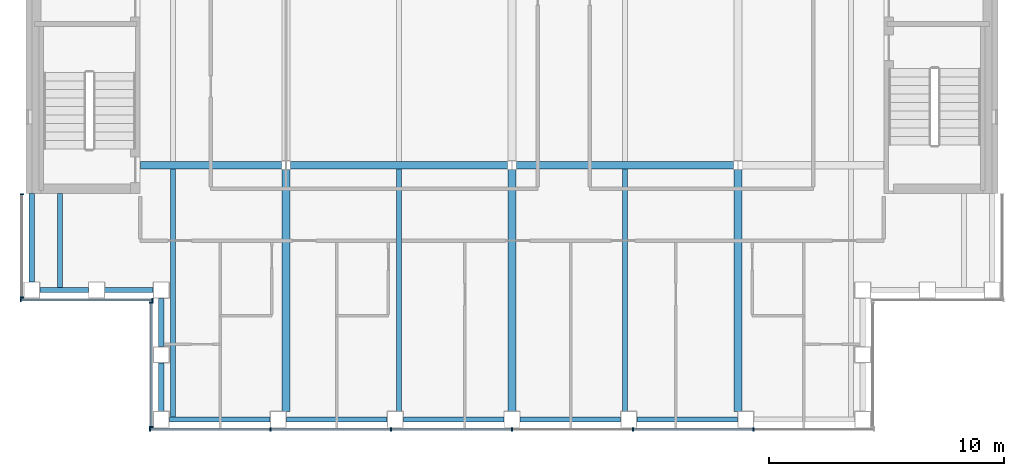
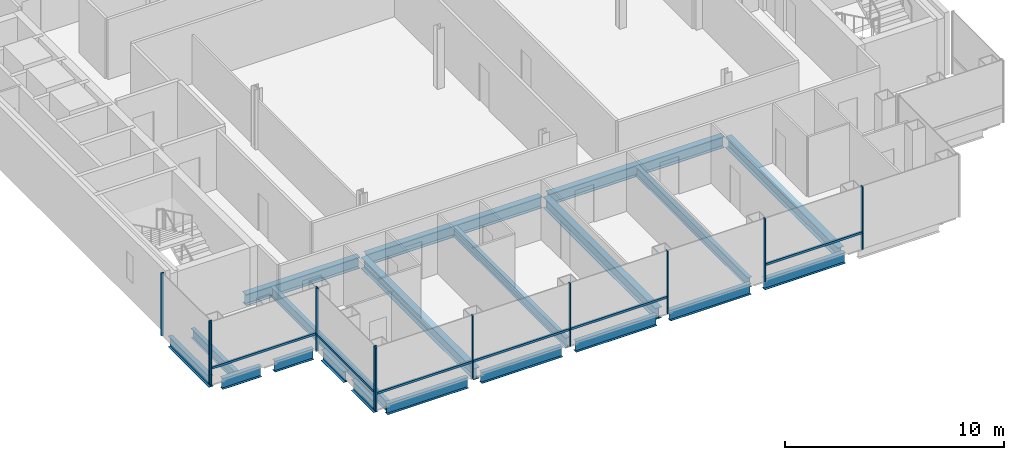
# One storey, part 3 of 15: 20 beams, 18 members, 4 elements without a shape of their own.
"""IFC4 building model written with IfcOpenShell, lengths in metres."""

import ifcopenshell
import ifcopenshell.guid

model = None  # the IFC model being written
_history = None  # IfcOwnerHistory: only IFC2X3 demands one
_inside = {}  # id of a spatial element -> (the spatial element, [elements in it])
_under = {}  # id of a project, library or spatial element -> (it, [spatial elements below it])
_declared = {}  # id of a project -> (the project, [libraries it declares])
_typed = {}  # id of a type object -> (the type object, [elements of that type])
_made_of = {}  # id of a material, layer set ... -> (it, [elements and type objects made of it])


def new_model(schema):
    """Start an empty IFC model of exactly this schema.

    Asked for "IFC4X3", IfcOpenShell would pick the latest addendum, in which some entities
    have other attributes; the version numbers below select the first issue.
    IFC2X3 requires an IfcOwnerHistory on every rooted entity: one is made here for all.
    """
    global model, _history
    if schema == "IFC4X3":
        model = ifcopenshell.file(schema_version=(4, 3, 0, 0))
    else:
        model = ifcopenshell.file(schema=schema)
    _inside.clear()
    _under.clear()
    _declared.clear()
    _typed.clear()
    _made_of.clear()
    _history = None
    if model.schema == "IFC2X3":
        org = make("IfcOrganization", Name="unknown")
        user = make(
            "IfcPersonAndOrganization",
            ThePerson=make("IfcPerson", FamilyName="unknown"),
            TheOrganization=org,
        )
        app = make(
            "IfcApplication",
            ApplicationDeveloper=org,
            Version="unknown",
            ApplicationFullName="unknown",
            ApplicationIdentifier="unknown",
        )
        _history = make(
            "IfcOwnerHistory",
            OwningUser=user,
            OwningApplication=app,
            ChangeAction="ADDED",
            CreationDate=0,
        )
    return model


def make(cls, **values):
    """One entity of the class cls with the attributes given. An attribute that is None is left unset."""
    return model.create_entity(
        cls, **{name: value for name, value in values.items() if value is not None}
    )


def rooted(cls, **values):
    """An entity with a GlobalId (a new one), such as an element, a storey or a relation."""
    return make(cls, GlobalId=ifcopenshell.guid.new(), OwnerHistory=_history, **values)


def si_unit(unit_type, name, prefix=None):
    """IfcSIUnit, for example si_unit("LENGTHUNIT", "METRE", prefix="MILLI")."""
    return make("IfcSIUnit", UnitType=unit_type, Prefix=prefix, Name=name)


def assignment(units):
    """IfcUnitAssignment: the units of a project."""
    return None if units is None else make("IfcUnitAssignment", Units=units)


def point(xyz):
    """IfcCartesianPoint."""
    return None if xyz is None else make("IfcCartesianPoint", Coordinates=xyz)


def direction(xyz):
    """IfcDirection."""
    return None if xyz is None else make("IfcDirection", DirectionRatios=xyz)


def frame(location, z_axis=None, x_axis=None):
    """IfcAxis2Placement3D, a coordinate frame: its origin and axes. An axis left out is left unset."""
    return make(
        "IfcAxis2Placement3D",
        Location=point(location),
        Axis=direction(z_axis),
        RefDirection=direction(x_axis),
    )


def frame_2d(location, x_axis=None):
    """IfcAxis2Placement2D, a coordinate frame in the plane: its origin and x axis."""
    return make(
        "IfcAxis2Placement2D", Location=point(location), RefDirection=direction(x_axis)
    )


def origin():
    """The frame at (0, 0, 0) with its axes left unset."""
    return frame((0.0, 0.0, 0.0))


def origin_2d():
    """The frame at (0, 0) in the plane with its x axis left unset."""
    return frame_2d((0.0, 0.0))


def place(relative_to, where):
    """IfcLocalPlacement: puts the frame where relative to a parent placement (None: the world)."""
    return make(
        "IfcLocalPlacement", PlacementRelTo=relative_to, RelativePlacement=where
    )


def context(
    kind, dimensions, precision=None, world=None, true_north=None, identifier=None
):
    """IfcGeometricRepresentationContext, for example the 3D "Model" context."""
    return make(
        "IfcGeometricRepresentationContext",
        ContextIdentifier=identifier,
        ContextType=kind,
        CoordinateSpaceDimension=dimensions,
        Precision=precision,
        WorldCoordinateSystem=world,
        TrueNorth=true_north,
    )


def subcontext(parent, identifier, kind, view, scale=None):
    """IfcGeometricRepresentationSubContext, for example "Body" below "Model"."""
    return make(
        "IfcGeometricRepresentationSubContext",
        ContextIdentifier=identifier,
        ContextType=kind,
        ParentContext=parent,
        TargetScale=scale,
        TargetView=view,
    )


def project(units=None, contexts=None):
    """IfcProject with its units and contexts."""
    return rooted(
        "IfcProject",
        Name="project",
        RepresentationContexts=contexts,
        UnitsInContext=assignment(units),
    )


def spatial(cls, under=None, at=None, **own):
    """A site, building, storey or space (cls), placed at a placement, below another one or the project."""
    s = rooted(cls, ObjectPlacement=at, **own)
    if under is not None:
        _under.setdefault(under.id(), (under, []))[1].append(s)
    return s


def profile(cls, at=None, kind="AREA", **sizes):
    """A parametric profile (cls). Its sizes go by their IFC names, for example OverallWidth=200.0."""
    return make(cls, ProfileType=kind, Position=at, **sizes)


def rectangle(**sizes):
    """IfcRectangleProfileDef."""
    return profile("IfcRectangleProfileDef", **sizes)


def i_section(**sizes):
    """IfcIShapeProfileDef."""
    return profile("IfcIShapeProfileDef", **sizes)


def extrude(swept, where, along, depth):
    """IfcExtrudedAreaSolid: the profile swept, set in the frame where, extruded along a direction by depth."""
    return make(
        "IfcExtrudedAreaSolid",
        SweptArea=swept,
        Position=where,
        ExtrudedDirection=direction(along),
        Depth=depth,
    )


def shape(context_of_items, identifier, shape_type, items):
    """IfcShapeRepresentation: the items that make up one representation, for example the "Body"."""
    return make(
        "IfcShapeRepresentation",
        ContextOfItems=context_of_items,
        RepresentationIdentifier=identifier,
        RepresentationType=shape_type,
        Items=items,
    )


def material(Name=None, Category=None):
    """IfcMaterial."""
    return make("IfcMaterial", Name=Name, Category=Category)


def material_profile(
    of_material, cross_section, Name=None, Category=None, Priority=None
):
    """IfcMaterialProfile: a cross section and its material."""
    return make(
        "IfcMaterialProfile",
        Name=Name,
        Material=of_material,
        Profile=cross_section,
        Priority=Priority,
        Category=Category,
    )


def profile_set(profiles, Name=None, composite=None):
    """IfcMaterialProfileSet."""
    return make(
        "IfcMaterialProfileSet",
        Name=Name,
        MaterialProfiles=profiles,
        CompositeProfile=composite,
    )


def made_of(thing, what):
    """Note that an element or type object is made of a material, layer set ...; save() writes the relation."""
    if what is not None:
        _made_of.setdefault(what.id(), (what, []))[1].append(thing)
    return thing


def type_object(cls, material=None, **own):
    """A type object (cls), such as IfcWallType, which elements share."""
    return made_of(rooted(cls, **own), material)


def element(
    cls,
    number,
    at=None,
    inside=None,
    cuts=None,
    type_object=None,
    material=None,
    context=None,
    identifier="Body",
    shape_type=None,
    held_by="IfcProductDefinitionShape",
    body=None,
    shapes=None,
    **own,
):
    """One element of the class cls, such as IfcWall. Its Tag is "e" and its number.

    at: its placement. inside: the storey or other place that contains it. cuts: it is an
    opening in that element (IfcRelVoidsElement). A single representation is given by context,
    identifier, shape_type and body (its items); several are given by shapes. held_by: the class
    of the entity that holds the representations. save() writes the other relations.
    """
    e = rooted(cls, Tag="e%d" % number, ObjectPlacement=at, **own)
    if body is not None:
        shapes = [shape(context, identifier, shape_type, body)]
    if shapes is not None:
        e.Representation = make(held_by, Representations=shapes)
    if inside is not None:
        _inside.setdefault(inside.id(), (inside, []))[1].append(e)
    if cuts is not None:
        rooted(
            "IfcRelVoidsElement", RelatingBuildingElement=cuts, RelatedOpeningElement=e
        )
    if type_object is not None:
        _typed.setdefault(type_object.id(), (type_object, []))[1].append(e)
    return made_of(e, material)


def aggregate(whole, parts):
    """IfcRelAggregates: a whole, such as a stair, and the parts it consists of."""
    return rooted("IfcRelAggregates", RelatingObject=whole, RelatedObjects=parts)


def save(model, path):
    """Write the relations noted so far, then the file.

    IfcRelAggregates (storeys below a building ...), IfcRelContainedInSpatialStructure (elements
    in a storey), IfcRelDefinesByType, IfcRelAssociatesMaterial and IfcRelDeclares: one each for
    every whole, place, type object, material and project.
    """
    for whole, parts in _under.values():
        aggregate(whole, parts)
    for where, things in _inside.values():
        rooted(
            "IfcRelContainedInSpatialStructure",
            RelatedElements=things,
            RelatingStructure=where,
        )
    for kind, things in _typed.values():
        rooted("IfcRelDefinesByType", RelatedObjects=things, RelatingType=kind)
    for what, things in _made_of.values():
        rooted("IfcRelAssociatesMaterial", RelatedObjects=things, RelatingMaterial=what)
    for by, libraries in _declared.values():
        rooted("IfcRelDeclares", RelatingContext=by, RelatedDefinitions=libraries)
    model.write(path)


model = new_model("IFC4")

# Units and contexts
model_context = context("Model", 3, precision=1e-05, world=origin(), true_north=direction((0.0, 1.0)))
body_context = subcontext(model_context, "Body", "Model", "MODEL_VIEW")
ifc_project = project(units=[si_unit("LENGTHUNIT", "METRE"), si_unit("AREAUNIT", "SQUARE_METRE"), si_unit("VOLUMEUNIT", "CUBIC_METRE"), si_unit("PLANEANGLEUNIT", "RADIAN"), si_unit("MASSUNIT", "GRAM", prefix="KILO")], contexts=[model_context])

# Site, building, storey
site_placement = place(None, origin())
site = spatial("IfcSite", under=ifc_project, at=site_placement, CompositionType="ELEMENT")
building_placement = place(site_placement, origin())
building = spatial("IfcBuilding", under=site, at=building_placement, Name="Cobrizo Arcos Hotel Tower", CompositionType="ELEMENT")
storey_placement = place(building_placement, frame((0.0, 0.0, 215.5)))
storey = spatial("IfcBuildingStorey", under=building, at=storey_placement, Name="L56", CompositionType="ELEMENT", Elevation=215.5)

# Curtain wall, members
ifc_material_1 = material(Name="Aluminium 6063-T6 anodised bronze", Category="aluminium")
curtain_wall_type = type_object("IfcCurtainWallType", Name="CW-A guest facade", PredefinedType="NOTDEFINED", material=ifc_material_1)
curtain_wall_1_placement = place(storey_placement, origin())
curtain_wall_1 = element("IfcCurtainWall", 1, at=curtain_wall_1_placement, inside=storey, type_object=curtain_wall_type, Name="CW-A L56 S face", PredefinedType="NOTDEFINED")
ifc_material_profile_1 = material_profile(ifc_material_1, rectangle(XDim=0.14990234375, YDim=0.06005859375, at=origin_2d()), Name="CW-A mullion 150x60")
ifc_profile_set_1 = profile_set([ifc_material_profile_1], Name="Aluminium 6063-T6 anodised bronze")
member_type_1 = type_object("IfcMemberType", Name="CW-A mullion 150x60", PredefinedType="MULLION", material=ifc_profile_set_1)
member_1_placement = place(storey_placement, frame((-15.3701171875, -20.824951171875, 0.0), z_axis=(0.0, 0.0, 1.0), x_axis=(0.0, -1.0, 0.0)))
member_1 = element("IfcMember", 2, at=member_1_placement, type_object=member_type_1, Name="CW-A mullion 1", PredefinedType="MULLION", context=body_context, shape_type="SweptSolid", body=[
    extrude(rectangle(XDim=0.14990234375, YDim=0.06005859375, at=origin_2d()), origin(), (0.0, 0.0, 1.0), 3.5),
])
member_2_placement = place(storey_placement, frame((-10.2666015625, -20.824951171875, 0.0), z_axis=(0.0, 0.0, 1.0), x_axis=(0.0, -1.0, 0.0)))
member_2 = element("IfcMember", 3, at=member_2_placement, type_object=member_type_1, Name="CW-A mullion 2", PredefinedType="MULLION", context=body_context, shape_type="SweptSolid", body=[
    extrude(rectangle(XDim=0.14990234375, YDim=0.06005859375, at=origin_2d()), origin(), (0.0, 0.0, 1.0), 3.5),
])
member_3_placement = place(storey_placement, frame((-5.13330078125, -20.824951171875, 0.0), z_axis=(0.0, 0.0, 1.0), x_axis=(0.0, -1.0, 0.0)))
member_3 = element("IfcMember", 4, at=member_3_placement, type_object=member_type_1, Name="CW-A mullion 3", PredefinedType="MULLION", context=body_context, shape_type="SweptSolid", body=[
    extrude(rectangle(XDim=0.14990234375, YDim=0.06005859375, at=origin_2d()), origin(), (0.0, 0.0, 1.0), 3.5),
])
member_4_placement = place(storey_placement, frame((0.0, -20.824951171875, 0.0), z_axis=(0.0, 0.0, 1.0), x_axis=(0.0, -1.0, 0.0)))
member_4 = element("IfcMember", 5, at=member_4_placement, type_object=member_type_1, Name="CW-A mullion 4", PredefinedType="MULLION", context=body_context, shape_type="SweptSolid", body=[
    extrude(rectangle(XDim=0.14990234375, YDim=0.06005859375, at=origin_2d()), origin(), (0.0, 0.0, 1.0), 3.5),
])
member_5_placement = place(storey_placement, frame((5.13330078125, -20.824951171875, 0.0), z_axis=(0.0, 0.0, 1.0), x_axis=(0.0, -1.0, 0.0)))
member_5 = element("IfcMember", 6, at=member_5_placement, type_object=member_type_1, Name="CW-A mullion 5", PredefinedType="MULLION", context=body_context, shape_type="SweptSolid", body=[
    extrude(rectangle(XDim=0.14990234375, YDim=0.06005859375, at=origin_2d()), origin(), (0.0, 0.0, 1.0), 3.5),
])
member_6_placement = place(storey_placement, frame((10.2666015625, -20.824951171875, 0.0), z_axis=(0.0, 0.0, 1.0), x_axis=(0.0, -1.0, 0.0)))
member_6 = element("IfcMember", 7, at=member_6_placement, type_object=member_type_1, Name="CW-A mullion 6", PredefinedType="MULLION", context=body_context, shape_type="SweptSolid", body=[
    extrude(rectangle(XDim=0.14990234375, YDim=0.06005859375, at=origin_2d()), origin(), (0.0, 0.0, 1.0), 3.5),
])

curtain_wall_2_placement = place(storey_placement, origin())
curtain_wall_2 = element("IfcCurtainWall", 8, at=curtain_wall_2_placement, inside=storey, type_object=curtain_wall_type, Name="CW-A L56 W face", PredefinedType="NOTDEFINED")
member_7_placement = place(storey_placement, frame((-20.824951171875, -10.830078125, 0.0), z_axis=(0.0, 0.0, 1.0), x_axis=(-1.0, 0.0, 0.0)))
member_7 = element("IfcMember", 9, at=member_7_placement, type_object=member_type_1, Name="CW-A mullion 1", PredefinedType="MULLION", context=body_context, shape_type="SweptSolid", body=[
    extrude(rectangle(XDim=0.14990234375, YDim=0.06005859375, at=origin_2d()), origin(), (0.0, 0.0, 1.0), 3.5),
])
member_8_placement = place(storey_placement, frame((-20.824951171875, -15.219970703125, 0.0), z_axis=(0.0, 0.0, 1.0), x_axis=(-1.0, 0.0, 0.0)))
member_8 = element("IfcMember", 10, at=member_8_placement, type_object=member_type_1, Name="CW-A mullion 2", PredefinedType="MULLION", context=body_context, shape_type="SweptSolid", body=[
    extrude(rectangle(XDim=0.14990234375, YDim=0.06005859375, at=origin_2d()), origin(), (0.0, 0.0, 1.0), 3.5),
])
aggregate(curtain_wall_2, [member_7, member_8])

curtain_wall_3_placement = place(storey_placement, origin())
curtain_wall_3 = element("IfcCurtainWall", 11, at=curtain_wall_3_placement, inside=storey, type_object=curtain_wall_type, Name="CW-A L56 S face", PredefinedType="NOTDEFINED")
member_9_placement = place(storey_placement, frame((-20.8701171875, -15.324951171875, 0.0), z_axis=(0.0, 0.0, 1.0), x_axis=(0.0, -1.0, 0.0)))
member_9 = element("IfcMember", 12, at=member_9_placement, type_object=member_type_1, Name="CW-A mullion 1", PredefinedType="MULLION", context=body_context, shape_type="SweptSolid", body=[
    extrude(rectangle(XDim=0.14990234375, YDim=0.06005859375, at=origin_2d()), origin(), (0.0, 0.0, 1.0), 3.5),
])
member_10_placement = place(storey_placement, frame((-15.280029296875, -15.324951171875, 0.0), z_axis=(0.0, 0.0, 1.0), x_axis=(0.0, -1.0, 0.0)))
member_10 = element("IfcMember", 13, at=member_10_placement, type_object=member_type_1, Name="CW-A mullion 2", PredefinedType="MULLION", context=body_context, shape_type="SweptSolid", body=[
    extrude(rectangle(XDim=0.14990234375, YDim=0.06005859375, at=origin_2d()), origin(), (0.0, 0.0, 1.0), 3.5),
])

curtain_wall_4_placement = place(storey_placement, origin())
curtain_wall_4 = element("IfcCurtainWall", 14, at=curtain_wall_4_placement, inside=storey, type_object=curtain_wall_type, Name="CW-A L56 W face", PredefinedType="NOTDEFINED")
member_11_placement = place(storey_placement, frame((-15.324951171875, -15.429931640625, 0.0), z_axis=(0.0, 0.0, 1.0), x_axis=(-1.0, 0.0, 0.0)))
member_11 = element("IfcMember", 15, at=member_11_placement, type_object=member_type_1, Name="CW-A mullion 1", PredefinedType="MULLION", context=body_context, shape_type="SweptSolid", body=[
    extrude(rectangle(XDim=0.14990234375, YDim=0.06005859375, at=origin_2d()), origin(), (0.0, 0.0, 1.0), 3.5),
])
member_12_placement = place(storey_placement, frame((-15.324951171875, -20.719970703125, 0.0), z_axis=(0.0, 0.0, 1.0), x_axis=(-1.0, 0.0, 0.0)))
member_12 = element("IfcMember", 16, at=member_12_placement, type_object=member_type_1, Name="CW-A mullion 2", PredefinedType="MULLION", context=body_context, shape_type="SweptSolid", body=[
    extrude(rectangle(XDim=0.14990234375, YDim=0.06005859375, at=origin_2d()), origin(), (0.0, 0.0, 1.0), 3.5),
])

# Member
ifc_material_profile_2 = material_profile(ifc_material_1, rectangle(XDim=0.10009765625, YDim=0.1201171875, at=origin_2d()), Name="CW-A transom 120x100")
ifc_profile_set_2 = profile_set([ifc_material_profile_2], Name="Aluminium 6063-T6 anodised bronze")
member_type_2 = type_object("IfcMemberType", Name="CW-A transom 120x100", PredefinedType="USERDEFINED", material=ifc_profile_set_2)
member_13_placement = place(storey_placement, frame((-15.340087890625, -20.824951171875, 0.929931640625), z_axis=(1.0, 0.0, 0.0), x_axis=(0.0, 1.0, 0.0)))
member_13 = element("IfcMember", 17, at=member_13_placement, type_object=member_type_2, Name="CW-A transom 1864", ObjectType="TRANSOM", PredefinedType="USERDEFINED", context=body_context, shape_type="SweptSolid", body=[
    extrude(rectangle(XDim=0.10009765625, YDim=0.1201171875, at=origin_2d()), origin(), (0.0, 0.0, 1.0), 5.04345703125),
])

member_14_placement = place(storey_placement, frame((-10.236572265625, -20.824951171875, 0.929931640625), z_axis=(1.0, 0.0, 0.0), x_axis=(0.0, 1.0, 0.0)))
member_14 = element("IfcMember", 18, at=member_14_placement, type_object=member_type_2, Name="CW-A transom 1865", ObjectType="TRANSOM", PredefinedType="USERDEFINED", context=body_context, shape_type="SweptSolid", body=[
    extrude(rectangle(XDim=0.10009765625, YDim=0.1201171875, at=origin_2d()), origin(), (0.0, 0.0, 1.0), 5.0732421875),
])

member_15_placement = place(storey_placement, frame((-5.103271484375, -20.824951171875, 0.929931640625), z_axis=(1.0, 0.0, 0.0), x_axis=(0.0, 1.0, 0.0)))
member_15 = element("IfcMember", 19, at=member_15_placement, type_object=member_type_2, Name="CW-A transom 1866", ObjectType="TRANSOM", PredefinedType="USERDEFINED", context=body_context, shape_type="SweptSolid", body=[
    extrude(rectangle(XDim=0.10009765625, YDim=0.1201171875, at=origin_2d()), origin(), (0.0, 0.0, 1.0), 5.0732421875),
])

member_16_placement = place(storey_placement, frame((5.163330078125, -20.824951171875, 0.929931640625), z_axis=(1.0, 0.0, 0.0), x_axis=(0.0, 1.0, 0.0)))
member_16 = element("IfcMember", 20, at=member_16_placement, type_object=member_type_2, Name="CW-A transom 1868", ObjectType="TRANSOM", PredefinedType="USERDEFINED", context=body_context, shape_type="SweptSolid", body=[
    extrude(rectangle(XDim=0.10009765625, YDim=0.1201171875, at=origin_2d()), origin(), (0.0, 0.0, 1.0), 5.0732421875),
])

aggregate(curtain_wall_1, [member_1, member_2, member_3, member_4, member_5, member_6, member_13, member_14, member_15, member_16])

member_17_placement = place(storey_placement, frame((-20.840087890625, -15.324951171875, 0.929931640625), z_axis=(1.0, 0.0, 0.0), x_axis=(0.0, 1.0, 0.0)))
member_17 = element("IfcMember", 21, at=member_17_placement, type_object=member_type_2, Name="CW-A transom 1886", ObjectType="TRANSOM", PredefinedType="USERDEFINED", context=body_context, shape_type="SweptSolid", body=[
    extrude(rectangle(XDim=0.10009765625, YDim=0.1201171875, at=origin_2d()), origin(), (0.0, 0.0, 1.0), 5.530029296875),
])

aggregate(curtain_wall_3, [member_9, member_10, member_17])

member_18_placement = place(storey_placement, frame((-15.324951171875, -15.4599609375, 0.929931640625), z_axis=(0.0, -1.0, 0.0), x_axis=(1.0, 0.0, 0.0)))
member_18 = element("IfcMember", 22, at=member_18_placement, type_object=member_type_2, Name="CW-A transom 1887", ObjectType="TRANSOM", PredefinedType="USERDEFINED", context=body_context, shape_type="SweptSolid", body=[
    extrude(rectangle(XDim=0.10009765625, YDim=0.1201171875, at=origin_2d()), origin(), (0.0, 0.0, 1.0), 5.22998046875),
])

aggregate(curtain_wall_4, [member_11, member_12, member_18])

# Beams
ifc_material_2 = material(Name="Steel ASTM A992 Grade 50", Category="steel")
ifc_material_profile_3 = material_profile(ifc_material_2, i_section(OverallWidth=0.209228515625, OverallDepth=0.533447265625, WebThickness=0.01025390625, FlangeThickness=0.015625, at=origin_2d()), Name="W21X62")
ifc_profile_set_3 = profile_set([ifc_material_profile_3], Name="Steel ASTM A992 Grade 50")
beam_type_1 = type_object("IfcBeamType", Name="W21X62 joist", PredefinedType="JOIST", material=ifc_profile_set_3)
beam_1_placement = place(storey_placement, frame((-19.199951171875, -14.81005859375, -0.416748046875), z_axis=(0.0, 1.0, 0.0), x_axis=(-1.0, 0.0, 0.0)))
element("IfcBeam", 23, at=beam_1_placement, inside=storey, type_object=beam_type_1, Name="Floor joist J1, L56, no. 001", PredefinedType="JOIST", context=body_context, shape_type="SweptSolid", body=[
    extrude(i_section(OverallWidth=0.209228515625, OverallDepth=0.533447265625, WebThickness=0.01025390625, FlangeThickness=0.015625, at=origin_2d()), origin(), (0.0, 0.0, 1.0), 4.0),
])
beam_2_placement = place(storey_placement, frame((-14.39990234375, -20.31005859375, -0.416748046875), z_axis=(0.0, 1.0, 0.0), x_axis=(-1.0, 0.0, 0.0)))
element("IfcBeam", 24, at=beam_2_placement, inside=storey, type_object=beam_type_1, Name="Floor joist J1, L56, no. 003", PredefinedType="JOIST", context=body_context, shape_type="SweptSolid", body=[
    extrude(i_section(OverallWidth=0.209228515625, OverallDepth=0.533447265625, WebThickness=0.01025390625, FlangeThickness=0.015625, at=origin_2d()), origin(), (0.0, 0.0, 1.0), 10.546142578125),
])
for number, where, z_axis, x_axis, name in (
    (25, (-4.800048828125, -20.050048828125, -0.416748046875), (0.0, 1.0, 0.0), (-1.0, 0.0, 0.0), "Floor joist J1, L56, no. 007"),
    (26, (4.800048828125, -20.050048828125, -0.416748046875), (0.0, 1.0, 0.0), (-1.0, 0.0, 0.0), "Floor joist J1, L56, no. 011"),
):
    element("IfcBeam", number, at=place(storey_placement, frame(where, z_axis=z_axis, x_axis=x_axis)), inside=storey, type_object=beam_type_1, Name=name, PredefinedType="JOIST", context=body_context, shape_type="SweptSolid", body=[
        extrude(i_section(OverallWidth=0.209228515625, OverallDepth=0.533447265625, WebThickness=0.01025390625, FlangeThickness=0.015625, at=origin_2d()), origin(), (0.0, 0.0, 1.0), 10.2861328125),
    ])
ifc_material_profile_4 = material_profile(ifc_material_2, i_section(OverallWidth=0.32763671875, OverallDepth=0.622314453125, WebThickness=0.015380859375, FlangeThickness=0.0244140625, at=origin_2d()), Name="W24X131")
ifc_profile_set_4 = profile_set([ifc_material_profile_4], Name="Steel ASTM A992 Grade 50")
beam_type_2 = type_object("IfcBeamType", Name="W24X131 girder", PredefinedType="BEAM", material=ifc_profile_set_4)
beam_3_placement = place(storey_placement, frame((-15.7900390625, -9.60009765625, -0.461181640625), z_axis=(1.0, 0.0, 0.0), x_axis=(0.0, 1.0, 0.0)))
element("IfcBeam", 27, at=beam_3_placement, inside=storey, type_object=beam_type_2, Name="Floor girder G1, L56, no. 001", PredefinedType="BEAM", context=body_context, shape_type="SweptSolid", body=[
    extrude(i_section(OverallWidth=0.32763671875, OverallDepth=0.622314453125, WebThickness=0.015380859375, FlangeThickness=0.0244140625, at=origin_2d()), origin(), (0.0, 0.0, 1.0), 6.00341796875),
])
for number, where, z_axis, x_axis, name in (
    (28, (-9.413330078125, -9.60009765625, -0.461181640625), (1.0, 0.0, 0.0), (0.0, 1.0, 0.0), "Floor girder G1, L56, no. 002"),
    (29, (0.186767578125, -9.60009765625, -0.461181640625), (1.0, 0.0, 0.0), (0.0, 1.0, 0.0), "Floor girder G1, L56, no. 003"),
):
    element("IfcBeam", number, at=place(storey_placement, frame(where, z_axis=z_axis, x_axis=x_axis)), inside=storey, type_object=beam_type_2, Name=name, PredefinedType="BEAM", context=body_context, shape_type="SweptSolid", body=[
        extrude(i_section(OverallWidth=0.32763671875, OverallDepth=0.622314453125, WebThickness=0.015380859375, FlangeThickness=0.0244140625, at=origin_2d()), origin(), (0.0, 0.0, 1.0), 9.2265625),
    ])
for number, where, z_axis, x_axis, name in (
    (30, (-9.60009765625, -20.050048828125, -0.461181640625), (0.0, 1.0, 0.0), (-1.0, 0.0, 0.0), "Floor girder G1, L56, no. 013"),
    (31, (0.0, -20.050048828125, -0.461181640625), (0.0, 1.0, 0.0), (-1.0, 0.0, 0.0), "Floor girder G1, L56, no. 017"),
    (32, (9.60009765625, -20.050048828125, -0.461181640625), (0.0, 1.0, 0.0), (-1.0, 0.0, 0.0), "Floor girder G1, L56, no. 021"),
):
    element("IfcBeam", number, at=place(storey_placement, frame(where, z_axis=z_axis, x_axis=x_axis)), inside=storey, type_object=beam_type_2, Name=name, PredefinedType="BEAM", context=body_context, shape_type="SweptSolid", body=[
        extrude(i_section(OverallWidth=0.32763671875, OverallDepth=0.622314453125, WebThickness=0.015380859375, FlangeThickness=0.0244140625, at=origin_2d()), origin(), (0.0, 0.0, 1.0), 10.263427734375),
    ])
ifc_material_profile_5 = material_profile(ifc_material_2, i_section(OverallWidth=0.228271484375, OverallDepth=0.607177734375, WebThickness=0.01123046875, FlangeThickness=0.017333984375, at=origin_2d()), Name="W24X76")
ifc_profile_set_5 = profile_set([ifc_material_profile_5], Name="Steel ASTM A992 Grade 50")
beam_type_3 = type_object("IfcBeamType", Name="W24X76 spandrel", PredefinedType="SPANDREL", material=ifc_profile_set_5)
beam_4_placement = place(storey_placement, frame((-14.550048828125, -20.39990234375, -0.45361328125), z_axis=(1.0, 0.0, 0.0), x_axis=(0.0, 1.0, 0.0)))
element("IfcBeam", 33, at=beam_4_placement, inside=storey, type_object=beam_type_3, Name="Spandrel beam W24X76, L56, no. 001", PredefinedType="SPANDREL", context=body_context, shape_type="SweptSolid", body=[
    extrude(i_section(OverallWidth=0.228271484375, OverallDepth=0.607177734375, WebThickness=0.01123046875, FlangeThickness=0.017333984375, at=origin_2d()), origin(), (0.0, 0.0, 1.0), 4.26708984375),
])
beam_5_placement = place(storey_placement, frame((-9.5830078125, -20.39990234375, -0.45361328125), z_axis=(1.0, 0.0, 0.0), x_axis=(0.0, 1.0, 0.0)))
element("IfcBeam", 34, at=beam_5_placement, inside=storey, type_object=beam_type_3, Name="Spandrel beam W24X76, L56, no. 002", PredefinedType="SPANDREL", context=body_context, shape_type="SweptSolid", body=[
    extrude(i_section(OverallWidth=0.228271484375, OverallDepth=0.607177734375, WebThickness=0.01123046875, FlangeThickness=0.017333984375, at=origin_2d()), origin(), (0.0, 0.0, 1.0), 4.26611328125),
])
for number, where, z_axis, x_axis, name in (
    (35, (-4.616943359375, -20.39990234375, -0.45361328125), (1.0, 0.0, 0.0), (0.0, 1.0, 0.0), "Spandrel beam W24X76, L56, no. 003"),
    (36, (0.35009765625, -20.39990234375, -0.45361328125), (1.0, 0.0, 0.0), (0.0, 1.0, 0.0), "Spandrel beam W24X76, L56, no. 004"),
):
    element("IfcBeam", number, at=place(storey_placement, frame(where, z_axis=z_axis, x_axis=x_axis)), inside=storey, type_object=beam_type_3, Name=name, PredefinedType="SPANDREL", context=body_context, shape_type="SweptSolid", body=[
        extrude(i_section(OverallWidth=0.228271484375, OverallDepth=0.607177734375, WebThickness=0.01123046875, FlangeThickness=0.017333984375, at=origin_2d()), origin(), (0.0, 0.0, 1.0), 4.266845703125),
    ])
beam_6_placement = place(storey_placement, frame((5.31689453125, -20.39990234375, -0.45361328125), z_axis=(1.0, 0.0, 0.0), x_axis=(0.0, 1.0, 0.0)))
element("IfcBeam", 37, at=beam_6_placement, inside=storey, type_object=beam_type_3, Name="Spandrel beam W24X76, L56, no. 005", PredefinedType="SPANDREL", context=body_context, shape_type="SweptSolid", body=[
    extrude(i_section(OverallWidth=0.228271484375, OverallDepth=0.607177734375, WebThickness=0.01123046875, FlangeThickness=0.017333984375, at=origin_2d()), origin(), (0.0, 0.0, 1.0), 4.26611328125),
])
beam_7_placement = place(storey_placement, frame((-20.39990234375, -10.81005859375, -0.45361328125), z_axis=(0.0, -1.0, 0.0), x_axis=(1.0, 0.0, 0.0)))
element("IfcBeam", 38, at=beam_7_placement, inside=storey, type_object=beam_type_3, Name="Spandrel beam W24X76, L56, no. 028", PredefinedType="SPANDREL", context=body_context, shape_type="SweptSolid", body=[
    extrude(i_section(OverallWidth=0.228271484375, OverallDepth=0.607177734375, WebThickness=0.01123046875, FlangeThickness=0.017333984375, at=origin_2d()), origin(), (0.0, 0.0, 1.0), 3.739990234375),
])
for number, where, z_axis, x_axis, name in (
    (39, (-20.050048828125, -14.89990234375, -0.45361328125), (1.0, 0.0, 0.0), (0.0, 1.0, 0.0), "Spandrel beam W24X76, L56, no. 029"),
    (40, (-17.300048828125, -14.89990234375, -0.45361328125), (1.0, 0.0, 0.0), (0.0, 1.0, 0.0), "Spandrel beam W24X76, L56, no. 030"),
    (41, (-14.89990234375, -15.25, -0.45361328125), (0.0, -1.0, 0.0), (1.0, 0.0, 0.0), "Spandrel beam W24X76, L56, no. 031"),
    (42, (-14.89990234375, -18.0, -0.45361328125), (0.0, -1.0, 0.0), (1.0, 0.0, 0.0), "Spandrel beam W24X76, L56, no. 032"),
):
    element("IfcBeam", number, at=place(storey_placement, frame(where, z_axis=z_axis, x_axis=x_axis)), inside=storey, type_object=beam_type_3, Name=name, PredefinedType="SPANDREL", context=body_context, shape_type="SweptSolid", body=[
        extrude(i_section(OverallWidth=0.228271484375, OverallDepth=0.607177734375, WebThickness=0.01123046875, FlangeThickness=0.017333984375, at=origin_2d()), origin(), (0.0, 0.0, 1.0), 2.050048828125),
    ])

save(model, "model.ifc")
